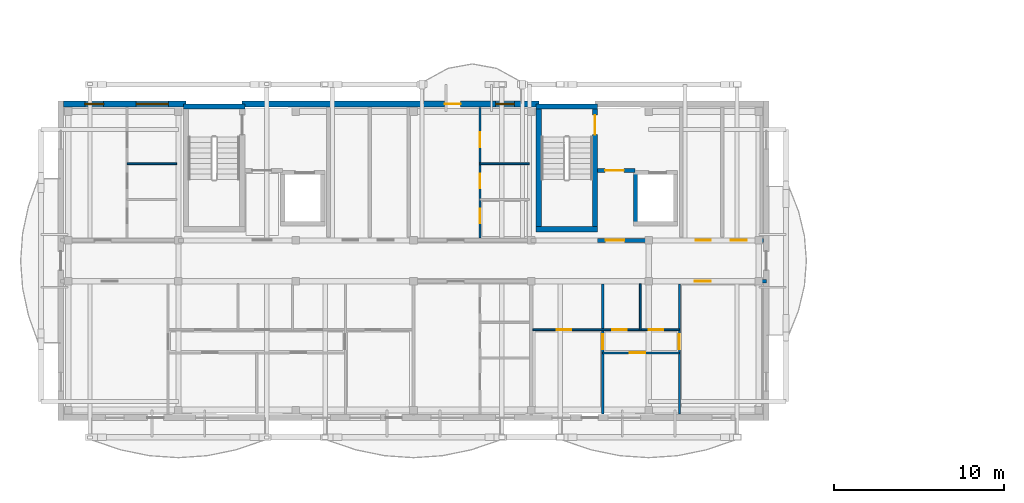
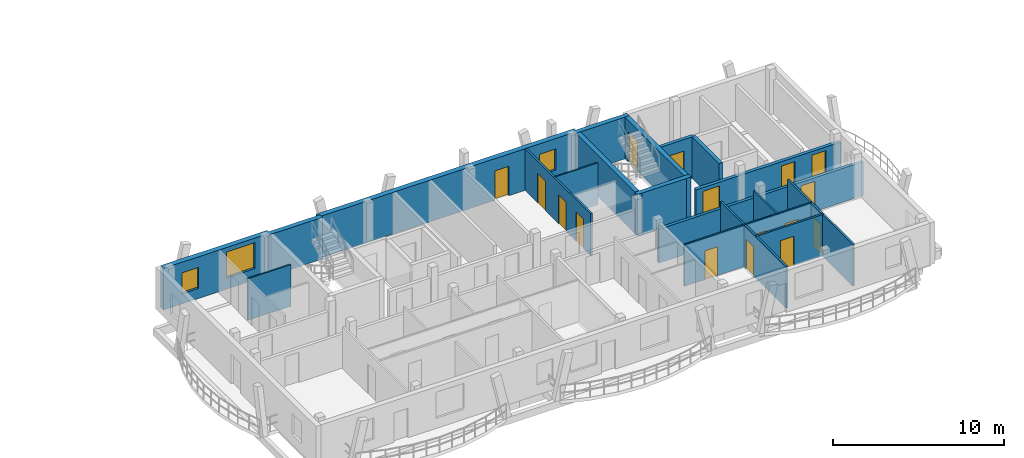
# One storey, part 11 of 21: 19 walls, 16 doors, 3 windows, 19 openings.
"""IFC4 building model written with IfcOpenShell, lengths in metres."""

from ifc_helpers import new_model, si_unit, direction, frame, frame_2d, origin, origin_with_axes, place, context, subcontext, project, spatial, rectangle, extrude, material, layer, layer_set, type_object, element, fill, save


model = new_model("IFC4")

# Units and contexts
model_context = context("Model", 3, precision=1e-05, world=origin(), true_north=direction((0.0, 1.0)))
body_context = subcontext(model_context, "Body", "Model", "MODEL_VIEW")
ifc_project = project(units=[si_unit("LENGTHUNIT", "METRE"), si_unit("AREAUNIT", "SQUARE_METRE"), si_unit("VOLUMEUNIT", "CUBIC_METRE"), si_unit("PLANEANGLEUNIT", "RADIAN"), si_unit("MASSUNIT", "GRAM", prefix="KILO")], contexts=[model_context])

# Site, building, storey
site_placement = place(None, origin())
site = spatial("IfcSite", under=ifc_project, at=site_placement, CompositionType="ELEMENT")
building_placement = place(site_placement, origin())
building = spatial("IfcBuilding", under=site, at=building_placement, Name="Zavelmont Quarter", CompositionType="ELEMENT")
storey_placement = place(building_placement, frame((0.0, 0.0, 36.800048828125)))
storey = spatial("IfcBuildingStorey", under=building, at=storey_placement, Name="L11", CompositionType="ELEMENT", Elevation=36.800048828125)

# Wall, openings, windows
ifc_material_1 = material(Name="Natural Belgian limestone", Category="masonry")
ifc_layer_1 = layer(ifc_material_1, 0.340087890625)
ifc_layer_set_1 = layer_set([ifc_layer_1], Name="Natural Belgian limestone")
wall_type_1 = type_object("IfcWallType", Name="EW03", PredefinedType="STANDARD", material=ifc_layer_set_1)
wall_1_placement = place(storey_placement, frame((0.159912109375, 18.39990234375, 0.0), z_axis=(0.0, 0.0, 1.0), x_axis=(1.0, 0.0, 0.0)))
wall_1 = element("IfcWall", 1, at=wall_1_placement, inside=storey, type_object=wall_type_1, Name="L11 exterior limestone wall EW03", PredefinedType="STANDARD", context=body_context, shape_type="SweptSolid", body=[
    extrude(rectangle(XDim=7.190185546875, YDim=0.340087890625, at=frame_2d((3.59521484375, 0.0))), origin(), (0.0, 0.0, 1.0), 2.969970703125),
])
opening_1_placement = place(wall_1_placement, frame((1.260009765625, 0.0, 0.719970703125)))
opening_1 = element("IfcOpeningElement", 2, at=opening_1_placement, cuts=wall_1, Name="Opening WN09", PredefinedType="OPENING", context=body_context, shape_type="SweptSolid", body=[
    extrude(rectangle(XDim=1.10009765625, YDim=1.5, at=frame_2d((0.550048828125, 0.75))), frame((0.0, 0.18212890625, 0.0), z_axis=(0.0, -1.0, 0.0), x_axis=(1.0, 0.0, 0.0)), (0.0, 0.0, 1.0), 0.364013671875),
])
opening_2_placement = place(wall_1_placement, frame((4.260009765625, 0.0, 0.800048828125)))
opening_2 = element("IfcOpeningElement", 3, at=opening_2_placement, cuts=wall_1, Name="Opening WN20", PredefinedType="OPENING", context=body_context, shape_type="SweptSolid", body=[
    extrude(rectangle(XDim=1.89990234375, YDim=1.85009765625, at=frame_2d((0.949951171875, 0.925048828125))), frame((0.0, 0.18212890625, 0.0), z_axis=(0.0, -1.0, 0.0), x_axis=(1.0, 0.0, 0.0)), (0.0, 0.0, 1.0), 0.364013671875),
])
ifc_material_2 = material(Name="Double low-E insulated glazing in thermally broken aluminium frame", Category="aluminium")
window_type_1 = type_object("IfcWindowType", Name="WN09", PartitioningType="SINGLE_PANEL", PredefinedType="WINDOW", material=ifc_material_2)
window_1_placement = place(opening_1_placement, origin_with_axes())
window_1 = element("IfcWindow", 4, at=window_1_placement, inside=storey, type_object=window_type_1, Name="L11 window WN09", OverallHeight=1.5, OverallWidth=1.10009765625, PartitioningType="SINGLE_PANEL", PredefinedType="WINDOW", context=body_context, shape_type="SweptSolid", body=[
    extrude(rectangle(XDim=1.10009765625, YDim=1.5, at=frame_2d((0.550048828125, 0.75))), frame((0.0, 0.030029296875, 0.0), z_axis=(0.0, -1.0, 0.0), x_axis=(1.0, 0.0, 0.0)), (0.0, 0.0, 1.0), 0.06005859375),
])
fill(opening_1, window_1)
window_type_2 = type_object("IfcWindowType", Name="WN20", PartitioningType="SINGLE_PANEL", PredefinedType="WINDOW", material=ifc_material_2)
window_2_placement = place(opening_2_placement, origin_with_axes())
window_2 = element("IfcWindow", 5, at=window_2_placement, inside=storey, type_object=window_type_2, Name="L11 window WN20", OverallHeight=1.85009765625, OverallWidth=1.89990234375, PartitioningType="SINGLE_PANEL", PredefinedType="WINDOW", context=body_context, shape_type="SweptSolid", body=[
    extrude(rectangle(XDim=1.89990234375, YDim=1.85009765625, at=frame_2d((0.949951171875, 0.925048828125))), frame((0.0, 0.030029296875, 0.0), z_axis=(0.0, -1.0, 0.0), x_axis=(1.0, 0.0, 0.0)), (0.0, 0.0, 1.0), 0.06005859375),
])
fill(opening_2, window_2)

# Wall, openings, door, window
wall_2_placement = place(storey_placement, frame((10.64990234375, 18.39990234375, 0.0), z_axis=(0.0, 0.0, 1.0), x_axis=(1.0, 0.0, 0.0)))
wall_2 = element("IfcWall", 6, at=wall_2_placement, inside=storey, type_object=wall_type_1, Name="L11 exterior limestone wall EW03", PredefinedType="STANDARD", context=body_context, shape_type="SweptSolid", body=[
    extrude(rectangle(XDim=17.400146484375, YDim=0.340087890625, at=frame_2d((8.7001953125, 0.0))), origin(), (0.0, 0.0, 1.0), 2.969970703125),
])
opening_3_placement = place(wall_2_placement, frame((11.8701171875, 0.0, 0.0)))
opening_3 = element("IfcOpeningElement", 7, at=opening_3_placement, cuts=wall_2, Name="Opening DR04", PredefinedType="OPENING", context=body_context, shape_type="SweptSolid", body=[
    extrude(rectangle(XDim=0.949951171875, YDim=2.10009765625, at=frame_2d((0.47509765625, 1.050048828125))), frame((0.0, 0.18212890625, 0.0), z_axis=(0.0, -1.0, 0.0), x_axis=(1.0, 0.0, 0.0)), (0.0, 0.0, 1.0), 0.364013671875),
])
opening_4_placement = place(wall_2_placement, frame((14.8701171875, 0.0, 0.719970703125)))
opening_4 = element("IfcOpeningElement", 8, at=opening_4_placement, cuts=wall_2, Name="Opening WN09", PredefinedType="OPENING", context=body_context, shape_type="SweptSolid", body=[
    extrude(rectangle(XDim=1.10009765625, YDim=1.5, at=frame_2d((0.550048828125, 0.75))), frame((0.0, 0.18212890625, 0.0), z_axis=(0.0, -1.0, 0.0), x_axis=(1.0, 0.0, 0.0)), (0.0, 0.0, 1.0), 0.364013671875),
])
ifc_material_3 = material(Name="Thermally broken aluminium and double safety glass", Category="aluminium")
door_type_1 = type_object("IfcDoorType", Name="DR04", OperationType="NOTDEFINED", PredefinedType="DOOR", material=ifc_material_3)
door_1_placement = place(opening_3_placement, frame((0.949951171875, 0.0, 0.0), z_axis=(0.0, 0.0, 1.0), x_axis=(-1.0, 0.0, 0.0)))
door_1 = element("IfcDoor", 9, at=door_1_placement, inside=storey, type_object=door_type_1, Name="Block A L11 glazed balcony door", OperationType="SINGLE_SWING_LEFT", OverallHeight=2.10009765625, OverallWidth=0.949951171875, PredefinedType="DOOR", context=body_context, shape_type="SweptSolid", body=[
    extrude(rectangle(XDim=0.949951171875, YDim=2.10009765625, at=frame_2d((0.47509765625, 1.050048828125))), frame((0.0, 0.02490234375, 0.0), z_axis=(0.0, -1.0, 0.0), x_axis=(1.0, 0.0, 0.0)), (0.0, 0.0, 1.0), 0.050048828125),
])
fill(opening_3, door_1)
window_3_placement = place(opening_4_placement, origin_with_axes())
window_3 = element("IfcWindow", 10, at=window_3_placement, inside=storey, type_object=window_type_1, Name="L11 window WN09", OverallHeight=1.5, OverallWidth=1.10009765625, PartitioningType="SINGLE_PANEL", PredefinedType="WINDOW", context=body_context, shape_type="SweptSolid", body=[
    extrude(rectangle(XDim=1.10009765625, YDim=1.5, at=frame_2d((0.550048828125, 0.75))), frame((0.0, 0.030029296875, 0.0), z_axis=(0.0, -1.0, 0.0), x_axis=(1.0, 0.0, 0.0)), (0.0, 0.0, 1.0), 0.06005859375),
])
fill(opening_4, window_3)

# Wall, opening, door
ifc_material_4 = material(Name="Calcium-silicate blockwork and acoustic plaster", Category="masonry")
ifc_layer_2 = layer(ifc_material_4, 0.199951171875)
ifc_layer_set_2 = layer_set([ifc_layer_2], Name="Calcium-silicate blockwork and acoustic plaster")
wall_type_2 = type_object("IfcWallType", Name="IW01", PredefinedType="PARTITIONING", material=ifc_layer_set_2)
wall_3_placement = place(storey_placement, frame((27.60009765625, 8.0, 0.0), z_axis=(0.0, 0.0, 1.0), x_axis=(1.0, 0.0, 0.0)))
wall_3 = element("IfcWall", 11, at=wall_3_placement, inside=storey, type_object=wall_type_2, Name="L11 Corridor compartment wall IW01", PredefinedType="PARTITIONING", context=body_context, shape_type="SweptSolid", body=[
    extrude(rectangle(XDim=13.7998046875, YDim=0.199951171875, at=frame_2d((6.89990234375, 0.0))), origin(), (0.0, 0.0, 1.0), 2.409912109375),
])
opening_5_placement = place(wall_3_placement, frame((9.60009765625, 0.0, 0.0)))
opening_5 = element("IfcOpeningElement", 12, at=opening_5_placement, cuts=wall_3, Name="Opening DR02", PredefinedType="OPENING", context=body_context, shape_type="SweptSolid", body=[
    extrude(rectangle(XDim=0.949951171875, YDim=2.14990234375, at=frame_2d((0.47509765625, 1.074951171875))), frame((0.0, 0.11181640625, 0.0), z_axis=(0.0, -1.0, 0.0), x_axis=(1.0, 0.0, 0.0)), (0.0, 0.0, 1.0), 0.223876953125),
])
ifc_material_5 = material(Name="Solid-core oak fire leaf in steel frame", Category="steel")
door_type_2 = type_object("IfcDoorType", Name="DR02", OperationType="NOTDEFINED", PredefinedType="DOOR", material=ifc_material_5)
door_2_placement = place(opening_5_placement, frame((0.949951171875, 0.0, 0.0), z_axis=(0.0, 0.0, 1.0), x_axis=(-1.0, 0.0, 0.0)))
door_2 = element("IfcDoor", 13, at=door_2_placement, inside=storey, type_object=door_type_2, Name="L11 door DR02", OperationType="SINGLE_SWING_LEFT", OverallHeight=2.14990234375, OverallWidth=0.949951171875, PredefinedType="DOOR", context=body_context, shape_type="SweptSolid", body=[
    extrude(rectangle(XDim=0.949951171875, YDim=2.14990234375, at=frame_2d((0.47509765625, 1.074951171875))), frame((0.0, 0.02490234375, 0.0), z_axis=(0.0, -1.0, 0.0), x_axis=(1.0, 0.0, 0.0)), (0.0, 0.0, 1.0), 0.050048828125),
])
fill(opening_5, door_2)

ifc_material_6 = material(Name="Reinforced masonry fire compartment wall", Category="masonry")
ifc_layer_3 = layer(ifc_material_6, 0.22509765625)
ifc_layer_set_3 = layer_set([ifc_layer_3], Name="Reinforced masonry fire compartment wall")
wall_type_3 = type_object("IfcWallType", Name="IW02", PredefinedType="PARTITIONING", material=ifc_layer_set_3)
wall_4_placement = place(storey_placement, frame((31.5, 14.5, 0.0), z_axis=(0.0, 0.0, 1.0), x_axis=(1.0, 0.0, 0.0)))
wall_4 = element("IfcWall", 14, at=wall_4_placement, inside=storey, type_object=wall_type_3, Name="L11 Firefighting lobby threshold wall IW02", PredefinedType="PARTITIONING", context=body_context, shape_type="SweptSolid", body=[
    extrude(rectangle(XDim=2.199951171875, YDim=0.22509765625, at=frame_2d((1.10009765625, 0.0))), origin(), (0.0, 0.0, 1.0), 2.969970703125),
])
opening_6_placement = place(wall_4_placement, frame((0.449951171875, 0.0, 0.0)))
opening_6 = element("IfcOpeningElement", 15, at=opening_6_placement, cuts=wall_4, Name="Opening DR10", PredefinedType="OPENING", context=body_context, shape_type="SweptSolid", body=[
    extrude(rectangle(XDim=1.10009765625, YDim=2.14990234375, at=frame_2d((0.550048828125, 1.074951171875))), frame((0.0, 0.12451171875, 0.0), z_axis=(0.0, -1.0, 0.0), x_axis=(1.0, 0.0, 0.0)), (0.0, 0.0, 1.0), 0.2490234375),
])
ifc_material_7 = material(Name="Painted steel lobby fire door", Category="steel")
door_type_3 = type_object("IfcDoorType", Name="DR10", OperationType="NOTDEFINED", PredefinedType="DOOR", material=ifc_material_7)
door_3_placement = place(opening_6_placement, origin_with_axes())
door_3 = element("IfcDoor", 16, at=door_3_placement, inside=storey, type_object=door_type_3, Name="Firefighting lobby fire door", OperationType="SINGLE_SWING_RIGHT", OverallHeight=2.14990234375, OverallWidth=1.10009765625, PredefinedType="DOOR", context=body_context, shape_type="SweptSolid", body=[
    extrude(rectangle(XDim=1.10009765625, YDim=2.14990234375, at=frame_2d((0.550048828125, 1.074951171875))), frame((0.0, 0.02490234375, 0.0), z_axis=(0.0, -1.0, 0.0), x_axis=(1.0, 0.0, 0.0)), (0.0, 0.0, 1.0), 0.050048828125),
])
fill(opening_6, door_3)

# Wall, openings, doors
wall_5_placement = place(storey_placement, frame((31.5, 10.39990234375, 0.0), z_axis=(0.0, 0.0, 1.0), x_axis=(1.0, 0.0, 0.0)))
wall_5 = element("IfcWall", 17, at=wall_5_placement, inside=storey, type_object=wall_type_3, Name="L11 Core corridor fire wall IW02", PredefinedType="PARTITIONING", context=body_context, shape_type="SweptSolid", body=[
    extrude(rectangle(XDim=9.75, YDim=0.22509765625, at=frame_2d((4.875, 0.0))), origin(), (0.0, 0.0, 1.0), 2.409912109375),
])
opening_7_placement = place(wall_5_placement, frame((0.47509765625, 0.0, 0.0)))
opening_7 = element("IfcOpeningElement", 18, at=opening_7_placement, cuts=wall_5, Name="Opening DR10", PredefinedType="OPENING", context=body_context, shape_type="SweptSolid", body=[
    extrude(rectangle(XDim=1.10009765625, YDim=2.14990234375, at=frame_2d((0.550048828125, 1.074951171875))), frame((0.0, 0.12451171875, 0.0), z_axis=(0.0, -1.0, 0.0), x_axis=(1.0, 0.0, 0.0)), (0.0, 0.0, 1.0), 0.2490234375),
])
opening_8_placement = place(wall_5_placement, frame((5.75, 0.0, 0.0)))
opening_8 = element("IfcOpeningElement", 19, at=opening_8_placement, cuts=wall_5, Name="Opening DR11", PredefinedType="OPENING", context=body_context, shape_type="SweptSolid", body=[
    extrude(rectangle(XDim=0.89990234375, YDim=2.10009765625, at=frame_2d((0.449951171875, 1.050048828125))), frame((0.0, 0.12451171875, 0.0), z_axis=(0.0, -1.0, 0.0), x_axis=(1.0, 0.0, 0.0)), (0.0, 0.0, 1.0), 0.2490234375),
])
opening_9_placement = place(wall_5_placement, frame((7.800048828125, 0.0, 0.0)))
opening_9 = element("IfcOpeningElement", 20, at=opening_9_placement, cuts=wall_5, Name="Opening DR02", PredefinedType="OPENING", context=body_context, shape_type="SweptSolid", body=[
    extrude(rectangle(XDim=0.949951171875, YDim=2.14990234375, at=frame_2d((0.47509765625, 1.074951171875))), frame((0.0, 0.12451171875, 0.0), z_axis=(0.0, -1.0, 0.0), x_axis=(1.0, 0.0, 0.0)), (0.0, 0.0, 1.0), 0.2490234375),
])
door_4_placement = place(opening_9_placement, frame((0.949951171875, 0.0, 0.0), z_axis=(0.0, 0.0, 1.0), x_axis=(-1.0, 0.0, 0.0)))
door_4 = element("IfcDoor", 21, at=door_4_placement, inside=storey, type_object=door_type_2, Name="Auxiliary store corridor door", OperationType="SINGLE_SWING_RIGHT", OverallHeight=2.14990234375, OverallWidth=0.949951171875, PredefinedType="DOOR", context=body_context, shape_type="SweptSolid", body=[
    extrude(rectangle(XDim=0.949951171875, YDim=2.14990234375, at=frame_2d((0.47509765625, 1.074951171875))), frame((0.0, 0.02490234375, 0.0), z_axis=(0.0, -1.0, 0.0), x_axis=(1.0, 0.0, 0.0)), (0.0, 0.0, 1.0), 0.050048828125),
])
fill(opening_9, door_4)
door_5_placement = place(opening_7_placement, origin_with_axes())
door_5 = element("IfcDoor", 22, at=door_5_placement, inside=storey, type_object=door_type_3, Name="Core vestibule fire door", OperationType="SINGLE_SWING_LEFT", OverallHeight=2.14990234375, OverallWidth=1.10009765625, PredefinedType="DOOR", context=body_context, shape_type="SweptSolid", body=[
    extrude(rectangle(XDim=1.10009765625, YDim=2.14990234375, at=frame_2d((0.550048828125, 1.074951171875))), frame((0.0, 0.02490234375, 0.0), z_axis=(0.0, -1.0, 0.0), x_axis=(1.0, 0.0, 0.0)), (0.0, 0.0, 1.0), 0.050048828125),
])
fill(opening_7, door_5)
ifc_material_8 = material(Name="Painted steel service-riser fire door", Category="steel")
door_type_4 = type_object("IfcDoorType", Name="DR11", OperationType="NOTDEFINED", PredefinedType="DOOR", material=ifc_material_8)
door_6_placement = place(opening_8_placement, frame((0.89990234375, 0.0, 0.0), z_axis=(0.0, 0.0, 1.0), x_axis=(-1.0, 0.0, 0.0)))
door_6 = element("IfcDoor", 23, at=door_6_placement, inside=storey, type_object=door_type_4, Name="Service riser fire door", OperationType="SINGLE_SWING_LEFT", OverallHeight=2.10009765625, OverallWidth=0.89990234375, PredefinedType="DOOR", context=body_context, shape_type="SweptSolid", body=[
    extrude(rectangle(XDim=0.89990234375, YDim=2.10009765625, at=frame_2d((0.449951171875, 1.050048828125))), frame((0.0, 0.02490234375, 0.0), z_axis=(0.0, -1.0, 0.0), x_axis=(1.0, 0.0, 0.0)), (0.0, 0.0, 1.0), 0.050048828125),
])
fill(opening_8, door_6)

# Wall, opening, door
ifc_material_9 = material(Name="Double gypsum board on acoustic steel stud", Category="steel")
ifc_layer_4 = layer(ifc_material_9, 0.125)
ifc_layer_set_4 = layer_set([ifc_layer_4], Name="Double gypsum board on acoustic steel stud")
wall_type_4 = type_object("IfcWallType", Name="IW03", PredefinedType="PARTITIONING", material=ifc_layer_set_4)
wall_6_placement = place(storey_placement, frame((36.300048828125, 7.85009765625, 0.0), z_axis=(0.0, 0.0, 1.0), x_axis=(0.0, -1.0, 0.0)))
wall_6 = element("IfcWall", 24, at=wall_6_placement, inside=storey, type_object=wall_type_4, Name="L11 Partition IW03", PredefinedType="PARTITIONING", context=body_context, shape_type="SweptSolid", body=[
    extrude(rectangle(XDim=7.650146484375, YDim=0.125, at=frame_2d((3.8251953125, 0.0))), origin(), (0.0, 0.0, 1.0), 2.969970703125),
])
opening_10_placement = place(wall_6_placement, frame((2.949951171875, 0.0, 0.0)))
opening_10 = element("IfcOpeningElement", 25, at=opening_10_placement, cuts=wall_6, Name="Opening DR05", PredefinedType="OPENING", context=body_context, shape_type="SweptSolid", body=[
    extrude(rectangle(XDim=0.89990234375, YDim=2.10009765625, at=frame_2d((0.449951171875, 1.050048828125))), frame((0.0, 0.074462890625, 0.0), z_axis=(0.0, -1.0, 0.0), x_axis=(1.0, 0.0, 0.0)), (0.0, 0.0, 1.0), 0.14892578125),
])
ifc_material_10 = material(Name="Engineered oak flush interior door")
door_type_5 = type_object("IfcDoorType", Name="DR05", OperationType="NOTDEFINED", PredefinedType="DOOR", material=ifc_material_10)
door_7_placement = place(opening_10_placement, origin_with_axes())
door_7 = element("IfcDoor", 26, at=door_7_placement, inside=storey, type_object=door_type_5, Name="L11 door DR05", OperationType="SINGLE_SWING_LEFT", OverallHeight=2.10009765625, OverallWidth=0.89990234375, PredefinedType="DOOR", context=body_context, shape_type="SweptSolid", body=[
    extrude(rectangle(XDim=0.89990234375, YDim=2.10009765625, at=frame_2d((0.449951171875, 1.050048828125))), frame((0.0, 0.02490234375, 0.0), z_axis=(0.0, -1.0, 0.0), x_axis=(1.0, 0.0, 0.0)), (0.0, 0.0, 1.0), 0.050048828125),
])
fill(opening_10, door_7)

wall_7_placement = place(storey_placement, frame((31.800048828125, 7.85009765625, 0.0), z_axis=(0.0, 0.0, 1.0), x_axis=(0.0, -1.0, 0.0)))
wall_7 = element("IfcWall", 27, at=wall_7_placement, inside=storey, type_object=wall_type_4, Name="L11 Partition IW03", PredefinedType="PARTITIONING", context=body_context, shape_type="SweptSolid", body=[
    extrude(rectangle(XDim=7.650146484375, YDim=0.125, at=frame_2d((3.8251953125, 0.0))), origin(), (0.0, 0.0, 1.0), 2.969970703125),
])
opening_11_placement = place(wall_7_placement, frame((2.949951171875, 0.0, 0.0)))
opening_11 = element("IfcOpeningElement", 28, at=opening_11_placement, cuts=wall_7, Name="Opening DR05", PredefinedType="OPENING", context=body_context, shape_type="SweptSolid", body=[
    extrude(rectangle(XDim=0.89990234375, YDim=2.10009765625, at=frame_2d((0.449951171875, 1.050048828125))), frame((0.0, 0.074462890625, 0.0), z_axis=(0.0, -1.0, 0.0), x_axis=(1.0, 0.0, 0.0)), (0.0, 0.0, 1.0), 0.14892578125),
])
door_8_placement = place(opening_11_placement, frame((0.89990234375, 0.0, 0.0), z_axis=(0.0, 0.0, 1.0), x_axis=(-1.0, 0.0, 0.0)))
door_8 = element("IfcDoor", 29, at=door_8_placement, inside=storey, type_object=door_type_5, Name="L11 door DR05", OperationType="SINGLE_SWING_RIGHT", OverallHeight=2.10009765625, OverallWidth=0.89990234375, PredefinedType="DOOR", context=body_context, shape_type="SweptSolid", body=[
    extrude(rectangle(XDim=0.89990234375, YDim=2.10009765625, at=frame_2d((0.449951171875, 1.050048828125))), frame((0.0, 0.02490234375, 0.0), z_axis=(0.0, -1.0, 0.0), x_axis=(1.0, 0.0, 0.0)), (0.0, 0.0, 1.0), 0.050048828125),
])
fill(opening_11, door_8)

wall_8_placement = place(storey_placement, frame((31.800048828125, 3.800048828125, 0.0), z_axis=(0.0, 0.0, 1.0), x_axis=(1.0, 0.0, 0.0)))
wall_8 = element("IfcWall", 30, at=wall_8_placement, inside=storey, type_object=wall_type_4, Name="L11 Partition IW03", PredefinedType="PARTITIONING", context=body_context, shape_type="SweptSolid", body=[
    extrude(rectangle(XDim=4.5, YDim=0.125, at=frame_2d((2.25, 0.0))), origin(), (0.0, 0.0, 1.0), 2.969970703125),
])
opening_12_placement = place(wall_8_placement, frame((1.60009765625, 0.0, 0.0)))
opening_12 = element("IfcOpeningElement", 31, at=opening_12_placement, cuts=wall_8, Name="Opening DR05", PredefinedType="OPENING", context=body_context, shape_type="SweptSolid", body=[
    extrude(rectangle(XDim=0.89990234375, YDim=2.10009765625, at=frame_2d((0.449951171875, 1.050048828125))), frame((0.0, 0.074462890625, 0.0), z_axis=(0.0, -1.0, 0.0), x_axis=(1.0, 0.0, 0.0)), (0.0, 0.0, 1.0), 0.14892578125),
])
door_9_placement = place(opening_12_placement, frame((0.89990234375, 0.0, 0.0), z_axis=(0.0, 0.0, 1.0), x_axis=(-1.0, 0.0, 0.0)))
door_9 = element("IfcDoor", 32, at=door_9_placement, inside=storey, type_object=door_type_5, Name="L11 door DR05", OperationType="SINGLE_SWING_RIGHT", OverallHeight=2.10009765625, OverallWidth=0.89990234375, PredefinedType="DOOR", context=body_context, shape_type="SweptSolid", body=[
    extrude(rectangle(XDim=0.89990234375, YDim=2.10009765625, at=frame_2d((0.449951171875, 1.050048828125))), frame((0.0, 0.02490234375, 0.0), z_axis=(0.0, -1.0, 0.0), x_axis=(1.0, 0.0, 0.0)), (0.0, 0.0, 1.0), 0.050048828125),
])
fill(opening_12, door_9)

# Wall, openings, doors
wall_9_placement = place(storey_placement, frame((24.60009765625, 10.550048828125, 0.0), z_axis=(0.0, 0.0, 1.0), x_axis=(0.0, 1.0, 0.0)))
wall_9 = element("IfcWall", 33, at=wall_9_placement, inside=storey, type_object=wall_type_4, Name="L11 Partition IW03", PredefinedType="PARTITIONING", context=body_context, shape_type="SweptSolid", body=[
    extrude(rectangle(XDim=7.64990234375, YDim=0.125, at=frame_2d((3.824951171875, 0.0))), origin(), (0.0, 0.0, 1.0), 2.969970703125),
])
opening_13_placement = place(wall_9_placement, frame((0.85009765625, 0.0, 0.0)))
opening_13 = element("IfcOpeningElement", 34, at=opening_13_placement, cuts=wall_9, Name="Opening DR16", PredefinedType="OPENING", context=body_context, shape_type="SweptSolid", body=[
    extrude(rectangle(XDim=0.85009765625, YDim=2.10009765625, at=frame_2d((0.425048828125, 1.050048828125))), frame((0.0, 0.074462890625, 0.0), z_axis=(0.0, -1.0, 0.0), x_axis=(1.0, 0.0, 0.0)), (0.0, 0.0, 1.0), 0.14892578125),
])
opening_14_placement = place(wall_9_placement, frame((2.89990234375, 0.0, 0.0)))
opening_14 = element("IfcOpeningElement", 35, at=opening_14_placement, cuts=wall_9, Name="Opening DR06", PredefinedType="OPENING", context=body_context, shape_type="SweptSolid", body=[
    extrude(rectangle(XDim=0.85009765625, YDim=2.050048828125, at=frame_2d((0.425048828125, 1.02490234375))), frame((0.0, 0.074462890625, 0.0), z_axis=(0.0, -1.0, 0.0), x_axis=(1.0, 0.0, 0.0)), (0.0, 0.0, 1.0), 0.14892578125),
])
opening_15_placement = place(wall_9_placement, frame((5.300048828125, 0.0, 0.0)))
opening_15 = element("IfcOpeningElement", 36, at=opening_15_placement, cuts=wall_9, Name="Opening DR05", PredefinedType="OPENING", context=body_context, shape_type="SweptSolid", body=[
    extrude(rectangle(XDim=0.89990234375, YDim=2.10009765625, at=frame_2d((0.449951171875, 1.050048828125))), frame((0.0, 0.074462890625, 0.0), z_axis=(0.0, -1.0, 0.0), x_axis=(1.0, 0.0, 0.0)), (0.0, 0.0, 1.0), 0.14892578125),
])
door_10_placement = place(opening_15_placement, frame((0.89990234375, 0.0, 0.0), z_axis=(0.0, 0.0, 1.0), x_axis=(-1.0, 0.0, 0.0)))
door_10 = element("IfcDoor", 37, at=door_10_placement, inside=storey, type_object=door_type_5, Name="L11 door DR05", OperationType="SINGLE_SWING_RIGHT", OverallHeight=2.10009765625, OverallWidth=0.89990234375, PredefinedType="DOOR", context=body_context, shape_type="SweptSolid", body=[
    extrude(rectangle(XDim=0.89990234375, YDim=2.10009765625, at=frame_2d((0.449951171875, 1.050048828125))), frame((0.0, 0.02490234375, 0.0), z_axis=(0.0, -1.0, 0.0), x_axis=(1.0, 0.0, 0.0)), (0.0, 0.0, 1.0), 0.050048828125),
])
fill(opening_15, door_10)
ifc_material_11 = material(Name="Moisture-resistant painted wet-room door")
door_type_6 = type_object("IfcDoorType", Name="DR06", OperationType="NOTDEFINED", PredefinedType="DOOR", material=ifc_material_11)
door_11_placement = place(opening_14_placement, origin_with_axes())
door_11 = element("IfcDoor", 38, at=door_11_placement, inside=storey, type_object=door_type_6, Name="L11 door DR06", OperationType="SINGLE_SWING_LEFT", OverallHeight=2.050048828125, OverallWidth=0.85009765625, PredefinedType="DOOR", context=body_context, shape_type="SweptSolid", body=[
    extrude(rectangle(XDim=0.85009765625, YDim=2.050048828125, at=frame_2d((0.425048828125, 1.02490234375))), frame((0.0, 0.02490234375, 0.0), z_axis=(0.0, -1.0, 0.0), x_axis=(1.0, 0.0, 0.0)), (0.0, 0.0, 1.0), 0.050048828125),
])
fill(opening_14, door_11)
door_type_7 = type_object("IfcDoorType", Name="DR16", OperationType="NOTDEFINED", PredefinedType="DOOR", material=ifc_material_10)
door_12_placement = place(opening_13_placement, frame((0.85009765625, 0.0, 0.0), z_axis=(0.0, 0.0, 1.0), x_axis=(-1.0, 0.0, 0.0)))
door_12 = element("IfcDoor", 39, at=door_12_placement, inside=storey, type_object=door_type_7, Name="L11 door DR16", OperationType="SINGLE_SWING_RIGHT", OverallHeight=2.10009765625, OverallWidth=0.85009765625, PredefinedType="DOOR", context=body_context, shape_type="SweptSolid", body=[
    extrude(rectangle(XDim=0.85009765625, YDim=2.10009765625, at=frame_2d((0.425048828125, 1.050048828125))), frame((0.0, 0.02490234375, 0.0), z_axis=(0.0, -1.0, 0.0), x_axis=(1.0, 0.0, 0.0)), (0.0, 0.0, 1.0), 0.050048828125),
])
fill(opening_13, door_12)

# Wall
ifc_material_12 = material(Name="Moisture-resistant gypsum board on steel stud", Category="steel")
ifc_layer_5 = layer(ifc_material_12, 0.10009765625)
ifc_layer_set_5 = layer_set([ifc_layer_5], Name="Moisture-resistant gypsum board on steel stud")
wall_type_5 = type_object("IfcWallType", Name="IW04", PredefinedType="PARTITIONING", material=ifc_layer_set_5)
wall_10_placement = place(storey_placement, frame((34.0, 7.85009765625, 0.0), z_axis=(0.0, 0.0, 1.0), x_axis=(0.0, -1.0, 0.0)))
element("IfcWall", 40, at=wall_10_placement, inside=storey, type_object=wall_type_5, Name="L11 Partition IW04", PredefinedType="PARTITIONING", context=body_context, shape_type="SweptSolid", body=[
    extrude(rectangle(XDim=2.7001953125, YDim=0.10009765625, at=frame_2d((1.35009765625, 0.0))), origin(), (0.0, 0.0, 1.0), 2.969970703125),
])

# Wall, openings, doors
wall_11_placement = place(storey_placement, frame((27.699951171875, 5.14990234375, 0.0), z_axis=(0.0, 0.0, 1.0), x_axis=(1.0, 0.0, 0.0)))
wall_11 = element("IfcWall", 41, at=wall_11_placement, inside=storey, type_object=wall_type_5, Name="L11 Partition IW04", PredefinedType="PARTITIONING", context=body_context, shape_type="SweptSolid", body=[
    extrude(rectangle(XDim=8.60009765625, YDim=0.10009765625, at=frame_2d((4.300048828125, 0.0))), origin(), (0.0, 0.0, 1.0), 2.969970703125),
])
opening_16_placement = place(wall_11_placement, frame((1.39990234375, 0.0, 0.0)))
opening_16 = element("IfcOpeningElement", 42, at=opening_16_placement, cuts=wall_11, Name="Opening DR06", PredefinedType="OPENING", context=body_context, shape_type="SweptSolid", body=[
    extrude(rectangle(XDim=0.85009765625, YDim=2.050048828125, at=frame_2d((0.425048828125, 1.02490234375))), frame((0.0, 0.06201171875, 0.0), z_axis=(0.0, -1.0, 0.0), x_axis=(1.0, 0.0, 0.0)), (0.0, 0.0, 1.0), 0.1240234375),
])
opening_17_placement = place(wall_11_placement, frame((4.64990234375, 0.0, 0.0)))
opening_17 = element("IfcOpeningElement", 43, at=opening_17_placement, cuts=wall_11, Name="Opening DR06", PredefinedType="OPENING", context=body_context, shape_type="SweptSolid", body=[
    extrude(rectangle(XDim=0.85009765625, YDim=2.050048828125, at=frame_2d((0.425048828125, 1.02490234375))), frame((0.0, 0.06201171875, 0.0), z_axis=(0.0, -1.0, 0.0), x_axis=(1.0, 0.0, 0.0)), (0.0, 0.0, 1.0), 0.1240234375),
])
opening_18_placement = place(wall_11_placement, frame((6.800048828125, 0.0, 0.0)))
opening_18 = element("IfcOpeningElement", 44, at=opening_18_placement, cuts=wall_11, Name="Opening DR16", PredefinedType="OPENING", context=body_context, shape_type="SweptSolid", body=[
    extrude(rectangle(XDim=0.85009765625, YDim=2.10009765625, at=frame_2d((0.425048828125, 1.050048828125))), frame((0.0, 0.06201171875, 0.0), z_axis=(0.0, -1.0, 0.0), x_axis=(1.0, 0.0, 0.0)), (0.0, 0.0, 1.0), 0.1240234375),
])
door_13_placement = place(opening_16_placement, origin_with_axes())
door_13 = element("IfcDoor", 45, at=door_13_placement, inside=storey, type_object=door_type_6, Name="L11 door DR06", OperationType="SINGLE_SWING_LEFT", OverallHeight=2.050048828125, OverallWidth=0.85009765625, PredefinedType="DOOR", context=body_context, shape_type="SweptSolid", body=[
    extrude(rectangle(XDim=0.85009765625, YDim=2.050048828125, at=frame_2d((0.425048828125, 1.02490234375))), frame((0.0, 0.02490234375, 0.0), z_axis=(0.0, -1.0, 0.0), x_axis=(1.0, 0.0, 0.0)), (0.0, 0.0, 1.0), 0.050048828125),
])
fill(opening_16, door_13)
door_14_placement = place(opening_17_placement, frame((0.85009765625, 0.0, 0.0), z_axis=(0.0, 0.0, 1.0), x_axis=(-1.0, 0.0, 0.0)))
door_14 = element("IfcDoor", 46, at=door_14_placement, inside=storey, type_object=door_type_6, Name="L11 door DR06", OperationType="SINGLE_SWING_RIGHT", OverallHeight=2.050048828125, OverallWidth=0.85009765625, PredefinedType="DOOR", context=body_context, shape_type="SweptSolid", body=[
    extrude(rectangle(XDim=0.85009765625, YDim=2.050048828125, at=frame_2d((0.425048828125, 1.02490234375))), frame((0.0, 0.02490234375, 0.0), z_axis=(0.0, -1.0, 0.0), x_axis=(1.0, 0.0, 0.0)), (0.0, 0.0, 1.0), 0.050048828125),
])
fill(opening_17, door_14)
door_15_placement = place(opening_18_placement, origin_with_axes())
door_15 = element("IfcDoor", 47, at=door_15_placement, inside=storey, type_object=door_type_7, Name="L11 door DR16", OperationType="SINGLE_SWING_LEFT", OverallHeight=2.10009765625, OverallWidth=0.85009765625, PredefinedType="DOOR", context=body_context, shape_type="SweptSolid", body=[
    extrude(rectangle(XDim=0.85009765625, YDim=2.10009765625, at=frame_2d((0.425048828125, 1.050048828125))), frame((0.0, 0.02490234375, 0.0), z_axis=(0.0, -1.0, 0.0), x_axis=(1.0, 0.0, 0.0)), (0.0, 0.0, 1.0), 0.050048828125),
])
fill(opening_18, door_15)

# Walls
wall_12_placement = place(storey_placement, frame((3.89990234375, 14.89990234375, 0.0), z_axis=(0.0, 0.0, 1.0), x_axis=(1.0, 0.0, 0.0)))
element("IfcWall", 48, at=wall_12_placement, inside=storey, type_object=wall_type_5, Name="L11 Partition IW04", PredefinedType="PARTITIONING", context=body_context, shape_type="SweptSolid", body=[
    extrude(rectangle(XDim=2.900146484375, YDim=0.10009765625, at=frame_2d((1.4501953125, 0.0))), origin(), (0.0, 0.0, 1.0), 2.969970703125),
])
wall_13_placement = place(storey_placement, frame((24.60009765625, 14.89990234375, 0.0), z_axis=(0.0, 0.0, 1.0), x_axis=(1.0, 0.0, 0.0)))
element("IfcWall", 49, at=wall_13_placement, inside=storey, type_object=wall_type_5, Name="L11 Partition IW04", PredefinedType="PARTITIONING", context=body_context, shape_type="SweptSolid", body=[
    extrude(rectangle(XDim=2.89990234375, YDim=0.10009765625, at=frame_2d((1.449951171875, 0.0))), origin(), (0.0, 0.0, 1.0), 2.969970703125),
])
ifc_material_13 = material(Name="Concrete C40/50", Category="concrete")
ifc_layer_6 = layer(ifc_material_13, 0.300048828125)
ifc_layer_set_6 = layer_set([ifc_layer_6], Name="Concrete C40/50")
wall_type_6 = type_object("IfcWallType", Name="SW01", PredefinedType="SHEAR", material=ifc_layer_set_6)
wall_14_placement = place(storey_placement, frame((27.89990234375, 11.050048828125, 0.0), z_axis=(0.0, 0.0, 1.0), x_axis=(1.0, 0.0, 0.0)))
element("IfcWall", 50, at=wall_14_placement, inside=storey, type_object=wall_type_6, Name="L11 ST02 corridor shear wall SW01", PredefinedType="SHEAR", context=body_context, shape_type="SweptSolid", body=[
    extrude(rectangle(XDim=3.60009765625, YDim=0.300048828125, at=frame_2d((1.800048828125, 0.0))), origin(), (0.0, 0.0, 1.0), 2.969970703125),
])
wall_15_placement = place(storey_placement, frame((28.050048828125, 10.89990234375, 0.0), z_axis=(0.0, 0.0, 1.0), x_axis=(0.0, 1.0, 0.0)))
element("IfcWall", 51, at=wall_15_placement, inside=storey, type_object=wall_type_6, Name="L11 ST02 west shear wall SW01", PredefinedType="SHEAR", context=body_context, shape_type="SweptSolid", body=[
    extrude(rectangle(XDim=7.5, YDim=0.300048828125, at=frame_2d((3.75, 0.0))), origin(), (0.0, 0.0, 1.0), 2.969970703125),
])

# Wall, opening, door
wall_16_placement = place(storey_placement, frame((31.35009765625, 10.89990234375, 0.0), z_axis=(0.0, 0.0, 1.0), x_axis=(0.0, 1.0, 0.0)))
wall_16 = element("IfcWall", 52, at=wall_16_placement, inside=storey, type_object=wall_type_6, Name="L11 ST02 lobby shear wall SW01", PredefinedType="SHEAR", context=body_context, shape_type="SweptSolid", body=[
    extrude(rectangle(XDim=7.5, YDim=0.300048828125, at=frame_2d((3.75, 0.0))), origin(), (0.0, 0.0, 1.0), 2.969970703125),
])
opening_19_placement = place(wall_16_placement, frame((5.699951171875, 0.0, 0.0)))
opening_19 = element("IfcOpeningElement", 53, at=opening_19_placement, cuts=wall_16, Name="Opening DR09", PredefinedType="OPENING", context=body_context, shape_type="SweptSolid", body=[
    extrude(rectangle(XDim=1.14990234375, YDim=2.14990234375, at=frame_2d((0.574951171875, 1.074951171875))), frame((0.0, 0.162109375, 0.0), z_axis=(0.0, -1.0, 0.0), x_axis=(1.0, 0.0, 0.0)), (0.0, 0.0, 1.0), 0.323974609375),
])
ifc_material_14 = material(Name="Painted steel stair-core fire door", Category="steel")
door_type_8 = type_object("IfcDoorType", Name="DR09", OperationType="NOTDEFINED", PredefinedType="DOOR", material=ifc_material_14)
door_16_placement = place(opening_19_placement, origin_with_axes())
door_16 = element("IfcDoor", 54, at=door_16_placement, inside=storey, type_object=door_type_8, Name="ST02 protected stair door", OperationType="SINGLE_SWING_LEFT", OverallHeight=2.14990234375, OverallWidth=1.14990234375, PredefinedType="DOOR", context=body_context, shape_type="SweptSolid", body=[
    extrude(rectangle(XDim=1.14990234375, YDim=2.14990234375, at=frame_2d((0.574951171875, 1.074951171875))), frame((0.0, 0.02490234375, 0.0), z_axis=(0.0, -1.0, 0.0), x_axis=(1.0, 0.0, 0.0)), (0.0, 0.0, 1.0), 0.050048828125),
])
fill(opening_19, door_16)

# Walls
ifc_layer_7 = layer(ifc_material_13, 0.25)
ifc_layer_set_7 = layer_set([ifc_layer_7], Name="Concrete C40/50")
wall_type_7 = type_object("IfcWallType", Name="SW02", PredefinedType="SHEAR", material=ifc_layer_set_7)
wall_17_placement = place(storey_placement, frame((33.72509765625, 11.25, 0.0), z_axis=(0.0, 0.0, 1.0), x_axis=(0.0, 1.0, 0.0)))
element("IfcWall", 55, at=wall_17_placement, inside=storey, type_object=wall_type_7, Name="L11 Lift LF02 west shaft wall SW02", PredefinedType="SHEAR", context=body_context, shape_type="SweptSolid", body=[
    extrude(rectangle(XDim=3.25, YDim=0.25, at=frame_2d((1.625, 0.0))), origin(), (0.0, 0.0, 1.0), 2.969970703125),
])
ifc_layer_8 = layer(ifc_material_13, 0.300048828125)
ifc_layer_set_8 = layer_set([ifc_layer_8], Name="Concrete C40/50")
wall_type_8 = type_object("IfcWallType", Name="SW03", PredefinedType="SHEAR", material=ifc_layer_set_8)
for number, where, z_axis, x_axis, name in (
    (56, (7.199951171875, 18.25, 0.0), (0.0, 0.0, 1.0), (1.0, 0.0, 0.0), "L11 ST01 outer shear wall SW03"),
    (57, (27.89990234375, 18.25, 0.0), (0.0, 0.0, 1.0), (1.0, 0.0, 0.0), "L11 ST02 outer shear wall SW03"),
):
    element("IfcWall", number, at=place(storey_placement, frame(where, z_axis=z_axis, x_axis=x_axis)), inside=storey, type_object=wall_type_8, Name=name, PredefinedType="SHEAR", context=body_context, shape_type="SweptSolid", body=[
        extrude(rectangle(XDim=3.60009765625, YDim=0.300048828125, at=frame_2d((1.800048828125, 0.0))), origin(), (0.0, 0.0, 1.0), 2.969970703125),
    ])

save(model, "model.ifc")
